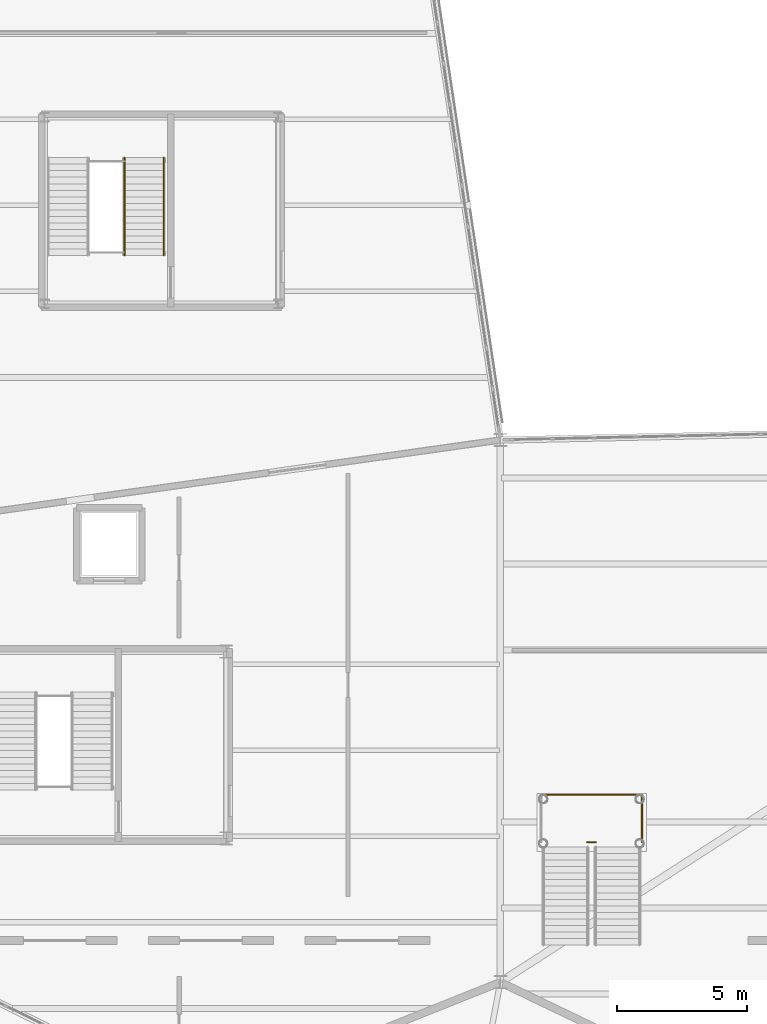
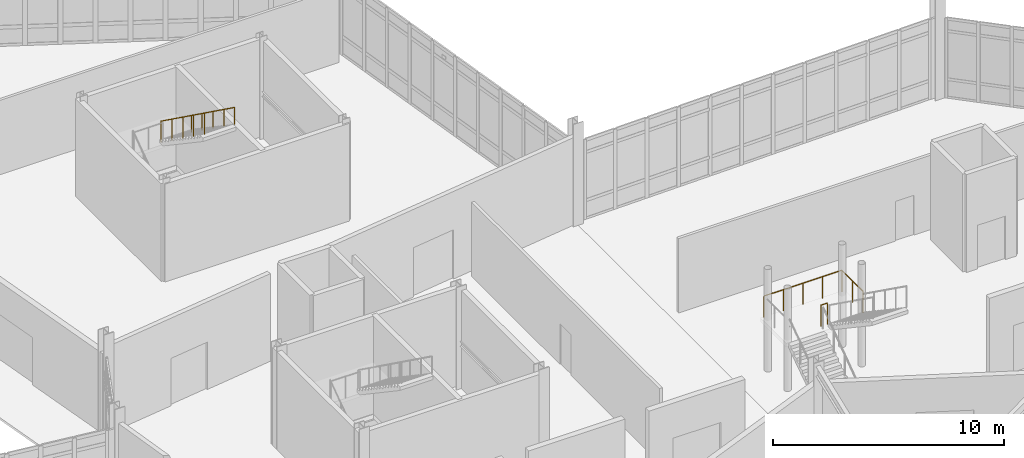
# One storey, part 110 of 113: 5 railings.
"""IFC4 building model written with IfcOpenShell, lengths in metres."""

from ifc_helpers import new_model, si_unit, direction, frame, origin, origin_2d, place, context, subcontext, project, spatial, circle, extrude, material, layer, layer_set, type_object, element, save


model = new_model("IFC4")

# Units and contexts
model_context = context("Model", 3, precision=1e-05, world=origin(), true_north=direction((0.0, 1.0)))
body_context = subcontext(model_context, "Body", "Model", "MODEL_VIEW")
ifc_project = project(units=[si_unit("LENGTHUNIT", "METRE"), si_unit("AREAUNIT", "SQUARE_METRE"), si_unit("VOLUMEUNIT", "CUBIC_METRE"), si_unit("PLANEANGLEUNIT", "RADIAN"), si_unit("MASSUNIT", "GRAM", prefix="KILO")], contexts=[model_context])

# Site, building, storey
site_placement = place(None, origin())
site = spatial("IfcSite", under=ifc_project, at=site_placement, CompositionType="ELEMENT")
building_placement = place(site_placement, origin())
building = spatial("IfcBuilding", under=site, at=building_placement, Name="Tameran Prism Museum", CompositionType="ELEMENT")
storey_placement = place(building_placement, origin())
storey = spatial("IfcBuildingStorey", under=building, at=storey_placement, Name="L00", CompositionType="ELEMENT", Elevation=0.0)

# Railings
ifc_material_1 = material(Name="Laminated Glass and Stainless Steel 316", Category="steel")
ifc_layer_1 = layer(ifc_material_1, 0.06494140625)
ifc_layer_set_1 = layer_set([ifc_layer_1])
railing_type_1 = type_object("IfcRailingType", Name="RL-BAL-1150", PredefinedType="BALUSTRADE", material=ifc_layer_set_1)
railing_1_placement = place(storey_placement, frame((80.840087890625, 32.77001953125, 2.699951171875)))
element("IfcRailing", 1, at=railing_1_placement, inside=storey, type_object=railing_type_1, Name="Atrium Landing Slot Guard BL-111", PredefinedType="BALUSTRADE", context=body_context, shape_type="SweptSolid", body=[
    extrude(circle(Radius=0.02392578125, at=origin_2d()), frame((0.0, 0.0, 1.1259765625), z_axis=(1.0, 0.0, 0.0), x_axis=(0.0, 1.0, 0.0)), (0.0, 0.0, 1.0), 0.31982421875),
    extrude(circle(Radius=0.02099609375, at=origin_2d()), origin(), (0.0, 0.0, 1.0), 1.101806640625),
    extrude(circle(Radius=0.02099609375, at=origin_2d()), frame((0.31982421875, 0.0, 0.0)), (0.0, 0.0, 1.0), 1.101806640625),
])
railing_2_placement = place(storey_placement, frame((79.06005859375, 34.590087890625, 2.699951171875)))
element("IfcRailing", 2, at=railing_2_placement, inside=storey, type_object=railing_type_1, Name="Atrium Landing Perimeter Guard BL-113", PredefinedType="BALUSTRADE", context=body_context, shape_type="SweptSolid", body=[
    extrude(circle(Radius=0.02392578125, at=origin_2d()), frame((0.0, 0.0, 1.1259765625), z_axis=(1.0, 0.0, 0.0), x_axis=(0.0, 1.0, 0.0)), (0.0, 0.0, 1.0), 3.8798828125),
    extrude(circle(Radius=0.02099609375, at=origin_2d()), origin(), (0.0, 0.0, 1.0), 1.101806640625),
    extrude(circle(Radius=0.02099609375, at=origin_2d()), frame((0.969970703125, 0.0, 0.0)), (0.0, 0.0, 1.0), 1.101806640625),
    extrude(circle(Radius=0.02099609375, at=origin_2d()), frame((1.93994140625, 0.0, 0.0)), (0.0, 0.0, 1.0), 1.101806640625),
    extrude(circle(Radius=0.02099609375, at=origin_2d()), frame((2.909912109375, 0.0, 0.0)), (0.0, 0.0, 1.0), 1.101806640625),
    extrude(circle(Radius=0.02099609375, at=origin_2d()), frame((3.8798828125, 0.0, 0.0)), (0.0, 0.0, 1.0), 1.101806640625),
])
railing_3_placement = place(storey_placement, frame((82.93994140625, 34.590087890625, 2.699951171875)))
element("IfcRailing", 3, at=railing_3_placement, inside=storey, type_object=railing_type_1, Name="Atrium Landing Perimeter Guard BL-114", PredefinedType="BALUSTRADE", context=body_context, shape_type="SweptSolid", body=[
    extrude(circle(Radius=0.02392578125, at=origin_2d()), frame((0.0, 0.0, 1.1259765625), z_axis=(0.0, -1.0, 0.0), x_axis=(1.0, 0.0, 0.0)), (0.0, 0.0, 1.0), 1.820068359375),
    extrude(circle(Radius=0.02099609375, at=origin_2d()), origin(), (0.0, 0.0, 1.0), 1.101806640625),
    extrude(circle(Radius=0.02099609375, at=origin_2d()), frame((0.0, -0.91015625, 0.0)), (0.0, 0.0, 1.0), 1.101806640625),
    extrude(circle(Radius=0.02099609375, at=origin_2d()), frame((0.0, -1.820068359375, 0.0)), (0.0, 0.0, 1.0), 1.101806640625),
])
ifc_material_2 = material(Name="Marine Stainless Steel 316", Category="steel")
ifc_layer_2 = layer(ifc_material_2, 0.054931640625)
ifc_layer_set_2 = layer_set([ifc_layer_2])
railing_type_2 = type_object("IfcRailingType", Name="RL-GR-1120", PredefinedType="GUARDRAIL", material=ifc_layer_set_2)
railing_4_placement = place(storey_placement, frame((63.080078125, 59.030029296875, 2.699951171875)))
element("IfcRailing", 4, at=railing_4_placement, inside=storey, type_object=railing_type_2, Name="Stair Well Guardrail GR-S110", PredefinedType="GUARDRAIL", context=body_context, shape_type="SweptSolid", body=[
    extrude(circle(Radius=0.02392578125, at=origin_2d()), frame((0.0, 0.0, 1.1259765625), z_axis=(0.0, -0.811539352079, 0.584297766578), x_axis=(1.0, 0.0, 0.0)), (0.0, 0.0, 1.0), 4.620849609375),
    extrude(circle(Radius=0.02099609375, at=origin_2d()), origin(), (0.0, 0.0, 1.0), 1.101806640625),
    extrude(circle(Radius=0.02099609375, at=origin_2d()), frame((0.0, -0.9375, 0.675048828125)), (0.0, 0.0, 1.0), 1.101806640625),
    extrude(circle(Radius=0.02099609375, at=origin_2d()), frame((0.0, -1.875, 1.35009765625)), (0.0, 0.0, 1.0), 1.101806640625),
    extrude(circle(Radius=0.02099609375, at=origin_2d()), frame((0.0, -2.8125, 2.02490234375)), (0.0, 0.0, 1.0), 1.101806640625),
    extrude(circle(Radius=0.02099609375, at=origin_2d()), frame((0.0, -3.75, 2.699951171875)), (0.0, 0.0, 1.0), 1.101806640625),
])
ifc_material_3 = material(Name="Brushed Stainless Steel 316", Category="steel")
ifc_layer_3 = layer(ifc_material_3, 0.048095703125)
ifc_layer_set_3 = layer_set([ifc_layer_3])
railing_type_3 = type_object("IfcRailingType", Name="RL-HR-920", PredefinedType="HANDRAIL", material=ifc_layer_set_3)
railing_5_placement = place(storey_placement, frame((64.590087890625, 59.030029296875, 2.699951171875)))
element("IfcRailing", 5, at=railing_5_placement, inside=storey, type_object=railing_type_3, Name="Stair Flight Handrail HR-056", PredefinedType="HANDRAIL", context=body_context, shape_type="SweptSolid", body=[
    extrude(circle(Radius=0.02392578125, at=origin_2d()), frame((0.0, 0.0, 0.89599609375), z_axis=(0.0, -0.811539352079, 0.584297766578), x_axis=(1.0, 0.0, 0.0)), (0.0, 0.0, 1.0), 4.620849609375),
    extrude(circle(Radius=0.02099609375, at=origin_2d()), origin(), (0.0, 0.0, 1.0), 0.871826171875),
    extrude(circle(Radius=0.02099609375, at=origin_2d()), frame((0.0, -0.9375, 0.675048828125)), (0.0, 0.0, 1.0), 0.871826171875),
    extrude(circle(Radius=0.02099609375, at=origin_2d()), frame((0.0, -1.875, 1.35009765625)), (0.0, 0.0, 1.0), 0.871826171875),
    extrude(circle(Radius=0.02099609375, at=origin_2d()), frame((0.0, -2.8125, 2.02490234375)), (0.0, 0.0, 1.0), 0.871826171875),
    extrude(circle(Radius=0.02099609375, at=origin_2d()), frame((0.0, -3.75, 2.699951171875)), (0.0, 0.0, 1.0), 0.871826171875),
])

save(model, "model.ifc")
